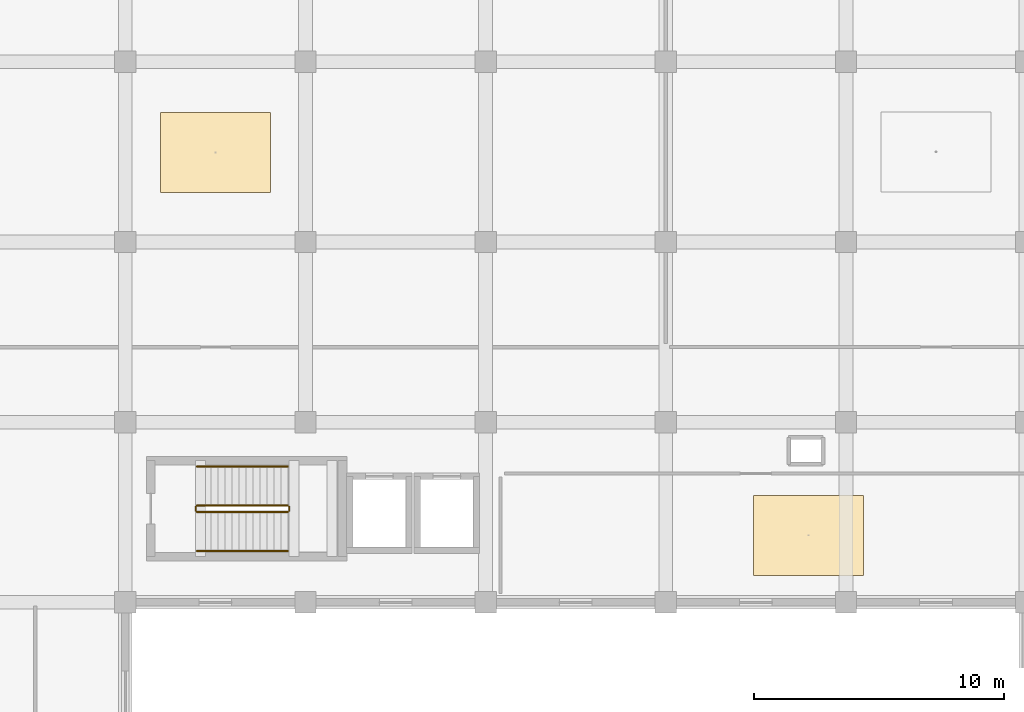
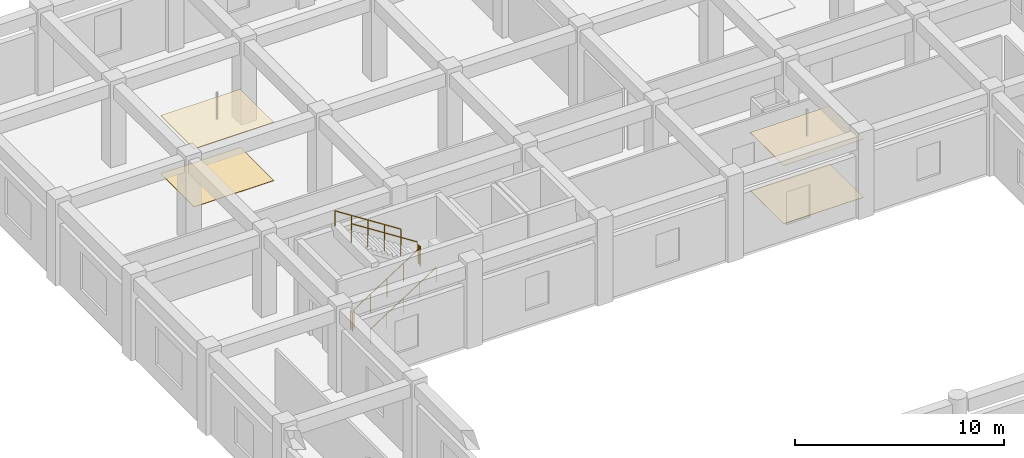
# One storey, part 53 of 54: 6 railings, 4 coverings.
"""IFC4 building model written with IfcOpenShell, lengths in metres."""

from ifc_helpers import new_model, si_unit, direction, frame, origin, origin_2d, place, context, subcontext, project, spatial, rectangle, circle, extrude, material, layer, layer_set, type_object, element, save


model = new_model("IFC4")

# Units and contexts
model_context = context("Model", 3, precision=1e-05, world=origin(), true_north=direction((0.0, 1.0)))
body_context = subcontext(model_context, "Body", "Model", "MODEL_VIEW")
ifc_project = project(units=[si_unit("LENGTHUNIT", "METRE"), si_unit("AREAUNIT", "SQUARE_METRE"), si_unit("VOLUMEUNIT", "CUBIC_METRE"), si_unit("PLANEANGLEUNIT", "RADIAN"), si_unit("MASSUNIT", "GRAM", prefix="KILO")], contexts=[model_context])

# Site, building, storey
site_placement = place(None, origin())
site = spatial("IfcSite", under=ifc_project, at=site_placement, CompositionType="ELEMENT")
building_placement = place(site_placement, origin())
building = spatial("IfcBuilding", under=site, at=building_placement, Name="Kazehaya Institute of Natural Sciences", CompositionType="ELEMENT")
storey_placement = place(building_placement, frame((0.0, 0.0, 5.39990234375)))
storey = spatial("IfcBuildingStorey", under=building, at=storey_placement, Name="L01", CompositionType="ELEMENT", Elevation=5.39990234375)

# Coverings
ifc_material_1 = material(Name="Mineral-fibre acoustic ceiling tile")
ifc_layer_1 = layer(ifc_material_1, 0.02490234375, Name="Mineral-fibre acoustic ceiling tile")
ifc_layer_set_1 = layer_set([ifc_layer_1], Name="Mineral-fibre acoustic ceiling tile")
covering_type_1 = type_object("IfcCoveringType", Name="COV-CEIL-AC", PredefinedType="CEILING", material=ifc_layer_set_1)
for number, where, z_axis, x_axis, name in (
    (1, (72.60791015625, 103.973388671875, 3.3876953125), (0.0, 0.0, 1.0), (1.0, 0.0, 0.0), "L01 Photonics Optics Laboratory ceiling 21"),
    (2, (96.300048828125, 88.675048828125, 3.3876953125), (0.0, 0.0, 1.0), (1.0, 0.0, 0.0), "L01 Researcher Write-up Office ceiling 23"),
):
    element("IfcCovering", number, at=place(storey_placement, frame(where, z_axis=z_axis, x_axis=x_axis)), inside=storey, type_object=covering_type_1, Name=name, PredefinedType="CEILING", context=body_context, shape_type="SweptSolid", body=[
        extrude(rectangle(XDim=4.39990234375, YDim=3.199951171875, at=origin_2d()), origin(), (0.0, 0.0, 1.0), 0.02490234375),
    ])
ifc_material_2 = material(Name="Polished Sawara stone terrazzo flooring", Category="masonry")
ifc_layer_2 = layer(ifc_material_2, 0.02001953125, Name="Polished Sawara stone terrazzo flooring", Category="masonry")
ifc_layer_set_2 = layer_set([ifc_layer_2], Name="Polished Sawara stone terrazzo flooring")
covering_type_2 = type_object("IfcCoveringType", Name="COV-FLR-TRZ", PredefinedType="FLOORING", material=ifc_layer_set_2)
for number, where, z_axis, x_axis, name in (
    (3, (72.60791015625, 103.973388671875, 0.0), (0.0, 0.0, 1.0), (1.0, 0.0, 0.0), "L01 Photonics Optics Laboratory finish flooring 21"),
    (4, (96.300048828125, 88.675048828125, 0.0), (0.0, 0.0, 1.0), (1.0, 0.0, 0.0), "L01 Researcher Write-up Office finish flooring 23"),
):
    element("IfcCovering", number, at=place(storey_placement, frame(where, z_axis=z_axis, x_axis=x_axis)), inside=storey, type_object=covering_type_2, Name=name, PredefinedType="FLOORING", context=body_context, shape_type="SweptSolid", body=[
        extrude(rectangle(XDim=4.39990234375, YDim=3.199951171875, at=origin_2d()), origin(), (0.0, 0.0, 1.0), 0.02001953125),
    ])

# Railings
ifc_material_3 = material(Name="Structural steel SN490B", Category="steel")
railing_type_1 = type_object("IfcRailingType", Name="RL-STAIR-GRD", PredefinedType="GUARDRAIL", material=ifc_material_3)
railing_1_placement = place(storey_placement, frame((71.860107421875, 89.610107421875, 0.18017578125)))
element("IfcRailing", 5, at=railing_1_placement, inside=storey, type_object=railing_type_1, Name="L01 ST-3 stair guard 1", PredefinedType="GUARDRAIL", context=body_context, shape_type="SweptSolid", body=[
    extrude(circle(Radius=0.02392578125, at=origin_2d()), frame((0.0, 0.0, 1.076171875), z_axis=(0.841187641198, 0.0, 0.540743333104), x_axis=(0.0, 1.0, 0.0)), (0.0, 0.0, 1.0), 4.3271484375),
    extrude(circle(Radius=0.02099609375, at=origin_2d()), origin(), (0.0, 0.0, 1.0), 1.052001953125),
    extrude(circle(Radius=0.02099609375, at=origin_2d()), frame((0.909912109375, 0.0, 0.5849609375)), (0.0, 0.0, 1.0), 1.052001953125),
    extrude(circle(Radius=0.02099609375, at=origin_2d()), frame((1.81982421875, 0.0, 1.169921875)), (0.0, 0.0, 1.0), 1.052001953125),
    extrude(circle(Radius=0.02099609375, at=origin_2d()), frame((2.72998046875, 0.0, 1.7548828125)), (0.0, 0.0, 1.0), 1.052001953125),
    extrude(circle(Radius=0.02099609375, at=origin_2d()), frame((3.639892578125, 0.0, 2.33984375)), (0.0, 0.0, 1.0), 1.052001953125),
])
railing_2_placement = place(storey_placement, frame((75.550048828125, 89.659912109375, 2.52001953125)))
element("IfcRailing", 6, at=railing_2_placement, inside=storey, type_object=railing_type_1, Name="L01 ST-3 stair guard 2", PredefinedType="GUARDRAIL", context=body_context, shape_type="SweptSolid", body=[
    extrude(circle(Radius=0.02392578125, at=origin_2d()), frame((0.0, 0.0, 1.076171875), z_axis=(0.0, 1.0, 0.0), x_axis=(-1.0, 0.0, 0.0)), (0.0, 0.0, 1.0), 0.16015625),
    extrude(circle(Radius=0.02099609375, at=origin_2d()), origin(), (0.0, 0.0, 1.0), 1.052001953125),
    extrude(circle(Radius=0.02099609375, at=origin_2d()), frame((0.0, 0.16015625, 0.0)), (0.0, 0.0, 1.0), 1.052001953125),
])
railing_3_placement = place(storey_placement, frame((75.5, 89.8701171875, 2.7001953125)))
element("IfcRailing", 7, at=railing_3_placement, inside=storey, type_object=railing_type_1, Name="L01 ST-3 stair guard 3", PredefinedType="GUARDRAIL", context=body_context, shape_type="SweptSolid", body=[
    extrude(circle(Radius=0.02392578125, at=origin_2d()), frame((0.0, 0.0, 1.076171875), z_axis=(-0.841187641198, 0.0, 0.540743333104), x_axis=(0.0, -1.0, 0.0)), (0.0, 0.0, 1.0), 4.3271484375),
    extrude(circle(Radius=0.02099609375, at=origin_2d()), origin(), (0.0, 0.0, 1.0), 1.052001953125),
    extrude(circle(Radius=0.02099609375, at=origin_2d()), frame((-0.909912109375, 0.0, 0.5849609375)), (0.0, 0.0, 1.0), 1.052001953125),
    extrude(circle(Radius=0.02099609375, at=origin_2d()), frame((-1.81982421875, 0.0, 1.169921875)), (0.0, 0.0, 1.0), 1.052001953125),
    extrude(circle(Radius=0.02099609375, at=origin_2d()), frame((-2.72998046875, 0.0, 1.7548828125)), (0.0, 0.0, 1.0), 1.052001953125),
    extrude(circle(Radius=0.02099609375, at=origin_2d()), frame((-3.639892578125, 0.0, 2.33984375)), (0.0, 0.0, 1.0), 1.052001953125),
])
railing_4_placement = place(storey_placement, frame((71.81005859375, 89.659912109375, 0.0)))
element("IfcRailing", 8, at=railing_4_placement, inside=storey, type_object=railing_type_1, Name="L01 ST-3 stair guard 4", PredefinedType="GUARDRAIL", context=body_context, shape_type="SweptSolid", body=[
    extrude(circle(Radius=0.02392578125, at=origin_2d()), frame((0.0, 0.0, 1.076171875), z_axis=(0.0, 1.0, 0.0), x_axis=(-1.0, 0.0, 0.0)), (0.0, 0.0, 1.0), 0.16015625),
    extrude(circle(Radius=0.02099609375, at=origin_2d()), origin(), (0.0, 0.0, 1.0), 1.052001953125),
    extrude(circle(Radius=0.02099609375, at=origin_2d()), frame((0.0, 0.16015625, 0.0)), (0.0, 0.0, 1.0), 1.052001953125),
])
ifc_material_4 = material(Name="Brushed stainless steel handrail", Category="steel")
railing_type_2 = type_object("IfcRailingType", Name="RL-STAIR-HND", PredefinedType="HANDRAIL", material=ifc_material_4)
railing_5_placement = place(storey_placement, frame((71.860107421875, 88.050048828125, 0.18017578125)))
element("IfcRailing", 9, at=railing_5_placement, inside=storey, type_object=railing_type_2, Name="L01 ST-3 stair handrail 1", PredefinedType="HANDRAIL", context=body_context, shape_type="SweptSolid", body=[
    extrude(circle(Radius=0.02392578125, at=origin_2d()), frame((0.0, 0.0, 0.8759765625), z_axis=(0.841187641198, 0.0, 0.540743333104), x_axis=(0.0, 1.0, 0.0)), (0.0, 0.0, 1.0), 4.3271484375),
    extrude(circle(Radius=0.02099609375, at=origin_2d()), origin(), (0.0, 0.0, 1.0), 0.851806640625),
    extrude(circle(Radius=0.02099609375, at=origin_2d()), frame((0.909912109375, 0.0, 0.5849609375)), (0.0, 0.0, 1.0), 0.851806640625),
    extrude(circle(Radius=0.02099609375, at=origin_2d()), frame((1.81982421875, 0.0, 1.169921875)), (0.0, 0.0, 1.0), 0.851806640625),
    extrude(circle(Radius=0.02099609375, at=origin_2d()), frame((2.72998046875, 0.0, 1.7548828125)), (0.0, 0.0, 1.0), 0.851806640625),
    extrude(circle(Radius=0.02099609375, at=origin_2d()), frame((3.639892578125, 0.0, 2.33984375)), (0.0, 0.0, 1.0), 0.851806640625),
])
railing_6_placement = place(storey_placement, frame((75.5, 91.429931640625, 2.7001953125)))
element("IfcRailing", 10, at=railing_6_placement, inside=storey, type_object=railing_type_2, Name="L01 ST-3 stair handrail 2", PredefinedType="HANDRAIL", context=body_context, shape_type="SweptSolid", body=[
    extrude(circle(Radius=0.02392578125, at=origin_2d()), frame((0.0, 0.0, 0.8759765625), z_axis=(-0.841187641198, 0.0, 0.540743333104), x_axis=(0.0, -1.0, 0.0)), (0.0, 0.0, 1.0), 4.3271484375),
    extrude(circle(Radius=0.02099609375, at=origin_2d()), origin(), (0.0, 0.0, 1.0), 0.851806640625),
    extrude(circle(Radius=0.02099609375, at=origin_2d()), frame((-0.909912109375, 0.0, 0.5849609375)), (0.0, 0.0, 1.0), 0.851806640625),
    extrude(circle(Radius=0.02099609375, at=origin_2d()), frame((-1.81982421875, 0.0, 1.169921875)), (0.0, 0.0, 1.0), 0.851806640625),
    extrude(circle(Radius=0.02099609375, at=origin_2d()), frame((-2.72998046875, 0.0, 1.7548828125)), (0.0, 0.0, 1.0), 0.851806640625),
    extrude(circle(Radius=0.02099609375, at=origin_2d()), frame((-3.639892578125, 0.0, 2.33984375)), (0.0, 0.0, 1.0), 0.851806640625),
])

save(model, "model.ifc")
